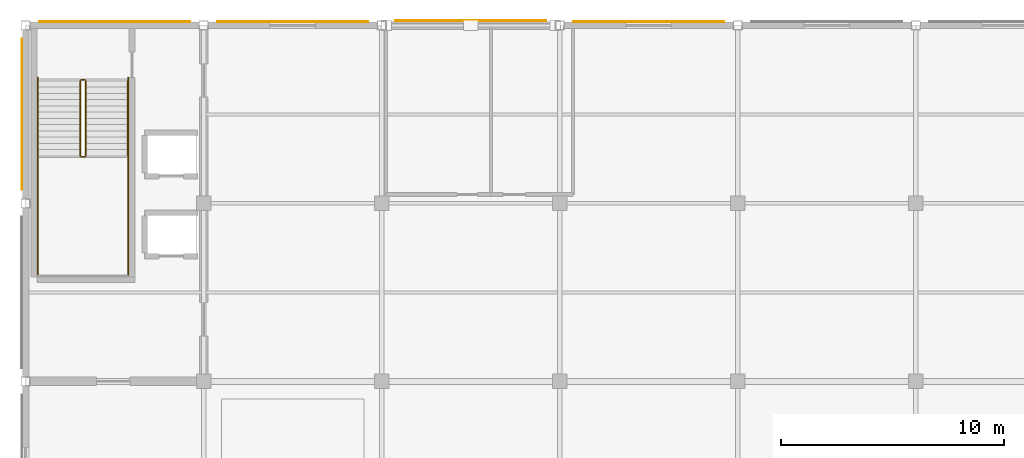
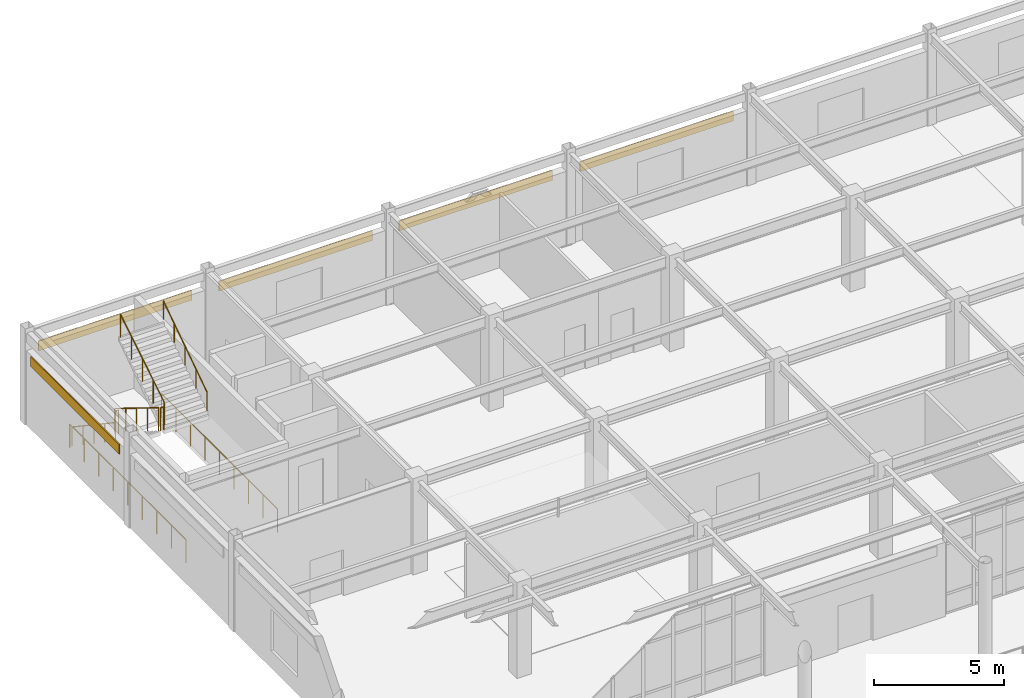
# One storey, part 69 of 75: 8 railings, 5 coverings.
"""IFC4 building model written with IfcOpenShell, lengths in metres."""

from ifc_helpers import new_model, si_unit, direction, frame, origin, origin_2d, place, context, subcontext, project, spatial, rectangle, circle, extrude, material, layer, layer_set, type_object, element, save


model = new_model("IFC4")

# Units and contexts
model_context = context("Model", 3, precision=1e-05, world=origin(), true_north=direction((0.0, 1.0)))
body_context = subcontext(model_context, "Body", "Model", "MODEL_VIEW")
ifc_project = project(units=[si_unit("LENGTHUNIT", "METRE"), si_unit("AREAUNIT", "SQUARE_METRE"), si_unit("VOLUMEUNIT", "CUBIC_METRE"), si_unit("PLANEANGLEUNIT", "RADIAN"), si_unit("MASSUNIT", "GRAM", prefix="KILO")], contexts=[model_context])

# Site, building, storey
site_placement = place(None, origin())
site = spatial("IfcSite", under=ifc_project, at=site_placement, CompositionType="ELEMENT")
building_placement = place(site_placement, origin())
building = spatial("IfcBuilding", under=site, at=building_placement, Name="Solmirada Galleria", CompositionType="ELEMENT")
storey_placement = place(building_placement, frame((0.0, 0.0, 19.39990234375)))
storey = spatial("IfcBuildingStorey", under=building, at=storey_placement, Name="L04", CompositionType="ELEMENT", Elevation=19.39990234375)

# Coverings
ifc_material_1 = material(Name="Limestone cladding panels", Category="masonry")
ifc_layer_1 = layer(ifc_material_1, 0.044921875)
ifc_layer_set_1 = layer_set([ifc_layer_1], Name="Limestone cladding panels")
covering_type_1 = type_object("IfcCoveringType", Name="COV-CLAD-LIME", PredefinedType="CLADDING", material=ifc_layer_set_1)
for number, where, z_axis, x_axis, name in (
    (1, (44.0, 120.16748046875, 2.990234375), (0.0, 0.0, 1.0), (1.0, 0.0, 0.0), "Postmodern facade cladding L04-257"),
    (2, (60.0, 120.202392578125, 2.990234375), (0.0, 0.0, 1.0), (1.0, 0.0, 0.0), "Postmodern facade cladding L04-259"),
):
    element("IfcCovering", number, at=place(storey_placement, frame(where, z_axis=z_axis, x_axis=x_axis)), inside=storey, type_object=covering_type_1, Name=name, PredefinedType="CLADDING", context=body_context, shape_type="SweptSolid", body=[
        extrude(rectangle(XDim=6.7939453125, YDim=0.044921875, at=origin_2d()), origin(), (0.0, 0.0, 1.0), 0.4599609375),
    ])
ifc_material_2 = material(Name="Glazed terracotta facade panels", Category="masonry")
ifc_layer_2 = layer(ifc_material_2, 0.0400390625)
ifc_layer_set_2 = layer_set([ifc_layer_2], Name="Glazed terracotta facade panels")
covering_type_2 = type_object("IfcCoveringType", Name="COV-CLAD-TERRA", PredefinedType="CLADDING", material=ifc_layer_set_2)
for number, where, z_axis, x_axis, name in (
    (3, (39.8349609375, 116.0, 2.990234375), (0.0, 0.0, 1.0), (0.0, 1.0, 0.0), "Postmodern facade cladding L04-256"),
    (4, (52.0, 120.1650390625, 2.990234375), (0.0, 0.0, 1.0), (1.0, 0.0, 0.0), "Postmodern facade cladding L04-258"),
    (5, (68.0, 120.1650390625, 2.990234375), (0.0, 0.0, 1.0), (1.0, 0.0, 0.0), "Postmodern facade cladding L04-260"),
):
    element("IfcCovering", number, at=place(storey_placement, frame(where, z_axis=z_axis, x_axis=x_axis)), inside=storey, type_object=covering_type_2, Name=name, PredefinedType="CLADDING", context=body_context, shape_type="SweptSolid", body=[
        extrude(rectangle(XDim=6.7939453125, YDim=0.0400390625, at=origin_2d()), origin(), (0.0, 0.0, 1.0), 0.4599609375),
    ])

# Railings
ifc_material_3 = material(Name="Painted steel tubular railing", Category="steel")
railing_type_1 = type_object("IfcRailingType", Name="RAIL-STAIR-GUARD", PredefinedType="GUARDRAIL", material=ifc_material_3)
railing_1_placement = place(storey_placement, frame((42.449951171875, 117.5, 0.173095703125)))
element("IfcRailing", 6, at=railing_1_placement, inside=storey, type_object=railing_type_1, Name="L04 ST1 stair guard 1", PredefinedType="GUARDRAIL", context=body_context, shape_type="SweptSolid", body=[
    extrude(circle(Radius=0.02392578125, at=origin_2d()), frame((0.0, 0.0, 1.076171875), z_axis=(0.0, -0.850623216509, 0.525775754039), x_axis=(1.0, 0.0, 0.0)), (0.0, 0.0, 1.0), 3.9501953125),
    extrude(circle(Radius=0.02099609375, at=origin_2d()), origin(), (0.0, 0.0, 1.0), 1.048095703125),
    extrude(circle(Radius=0.02099609375, at=origin_2d()), frame((0.0, -0.840087890625, 0.519287109375)), (0.0, 0.0, 1.0), 1.048095703125),
    extrude(circle(Radius=0.02099609375, at=origin_2d()), frame((0.0, -1.68017578125, 1.03857421875)), (0.0, 0.0, 1.0), 1.048095703125),
    extrude(circle(Radius=0.02099609375, at=origin_2d()), frame((0.0, -2.52001953125, 1.5576171875)), (0.0, 0.0, 1.0), 1.048095703125),
    extrude(circle(Radius=0.02099609375, at=origin_2d()), frame((0.0, -3.360107421875, 2.076904296875)), (0.0, 0.0, 1.0), 1.048095703125),
])
railing_2_placement = place(storey_placement, frame((42.5, 114.090087890625, 2.25)))
element("IfcRailing", 7, at=railing_2_placement, inside=storey, type_object=railing_type_1, Name="L04 ST1 stair guard 2", PredefinedType="GUARDRAIL", context=body_context, shape_type="SweptSolid", body=[
    extrude(circle(Radius=0.02392578125, at=origin_2d()), frame((0.0, 0.0, 1.076171875), z_axis=(1.0, 0.0, 0.0), x_axis=(0.0, 1.0, 0.0)), (0.0, 0.0, 1.0), 0.14990234375),
    extrude(circle(Radius=0.02099609375, at=origin_2d()), origin(), (0.0, 0.0, 1.0), 1.048095703125),
    extrude(circle(Radius=0.02099609375, at=origin_2d()), frame((0.14990234375, 0.0, 0.0)), (0.0, 0.0, 1.0), 1.048095703125),
])
railing_3_placement = place(storey_placement, frame((42.699951171875, 114.139892578125, 2.423095703125)))
element("IfcRailing", 8, at=railing_3_placement, inside=storey, type_object=railing_type_1, Name="L04 ST1 stair guard 3", PredefinedType="GUARDRAIL", context=body_context, shape_type="SweptSolid", body=[
    extrude(circle(Radius=0.02392578125, at=origin_2d()), frame((0.0, 0.0, 1.076171875), z_axis=(0.0, 0.850623216509, 0.525775754039), x_axis=(-1.0, 0.0, 0.0)), (0.0, 0.0, 1.0), 3.9501953125),
    extrude(circle(Radius=0.02099609375, at=origin_2d()), origin(), (0.0, 0.0, 1.0), 1.048095703125),
    extrude(circle(Radius=0.02099609375, at=origin_2d()), frame((0.0, 0.840087890625, 0.519287109375)), (0.0, 0.0, 1.0), 1.048095703125),
    extrude(circle(Radius=0.02099609375, at=origin_2d()), frame((0.0, 1.68017578125, 1.03857421875)), (0.0, 0.0, 1.0), 1.048095703125),
    extrude(circle(Radius=0.02099609375, at=origin_2d()), frame((0.0, 2.52001953125, 1.5576171875)), (0.0, 0.0, 1.0), 1.048095703125),
    extrude(circle(Radius=0.02099609375, at=origin_2d()), frame((0.0, 3.360107421875, 2.076904296875)), (0.0, 0.0, 1.0), 1.048095703125),
])
railing_4_placement = place(storey_placement, frame((42.5, 117.550048828125, 0.0)))
element("IfcRailing", 9, at=railing_4_placement, inside=storey, type_object=railing_type_1, Name="L04 ST1 stair guard 4", PredefinedType="GUARDRAIL", context=body_context, shape_type="SweptSolid", body=[
    extrude(circle(Radius=0.02392578125, at=origin_2d()), frame((0.0, 0.0, 1.076171875), z_axis=(1.0, 0.0, 0.0), x_axis=(0.0, 1.0, 0.0)), (0.0, 0.0, 1.0), 0.14990234375),
    extrude(circle(Radius=0.02099609375, at=origin_2d()), origin(), (0.0, 0.0, 1.0), 1.048095703125),
    extrude(circle(Radius=0.02099609375, at=origin_2d()), frame((0.14990234375, 0.0, 0.0)), (0.0, 0.0, 1.0), 1.048095703125),
])
railing_5_placement = place(storey_placement, frame((44.610107421875, 117.64990234375, 0.0)))
element("IfcRailing", 10, at=railing_5_placement, inside=storey, type_object=railing_type_1, Name="Stair ST1 well edge guard L04-1", PredefinedType="GUARDRAIL", context=body_context, shape_type="SweptSolid", body=[
    extrude(circle(Radius=0.02392578125, at=origin_2d()), frame((0.0, 0.0, 1.09619140625), z_axis=(0.0, -1.0, 0.0), x_axis=(1.0, 0.0, 0.0)), (0.0, 0.0, 1.0), 8.909912109375),
    extrude(circle(Radius=0.02099609375, at=origin_2d()), origin(), (0.0, 0.0, 1.0), 1.068115234375),
    extrude(circle(Radius=0.02099609375, at=origin_2d()), frame((0.0, -1.11376953125, 0.0)), (0.0, 0.0, 1.0), 1.068115234375),
    extrude(circle(Radius=0.02099609375, at=origin_2d()), frame((0.0, -2.2275390625, 0.0)), (0.0, 0.0, 1.0), 1.068115234375),
    extrude(circle(Radius=0.02099609375, at=origin_2d()), frame((0.0, -3.34130859375, 0.0)), (0.0, 0.0, 1.0), 1.068115234375),
    extrude(circle(Radius=0.02099609375, at=origin_2d()), frame((0.0, -4.455078125, 0.0)), (0.0, 0.0, 1.0), 1.068115234375),
    extrude(circle(Radius=0.02099609375, at=origin_2d()), frame((0.0, -5.568603515625, 0.0)), (0.0, 0.0, 1.0), 1.068115234375),
    extrude(circle(Radius=0.02099609375, at=origin_2d()), frame((0.0, -6.682373046875, 0.0)), (0.0, 0.0, 1.0), 1.068115234375),
    extrude(circle(Radius=0.02099609375, at=origin_2d()), frame((0.0, -7.796142578125, 0.0)), (0.0, 0.0, 1.0), 1.068115234375),
    extrude(circle(Radius=0.02099609375, at=origin_2d()), frame((0.0, -8.909912109375, 0.0)), (0.0, 0.0, 1.0), 1.068115234375),
])
railing_6_placement = place(storey_placement, frame((40.5400390625, 108.739990234375, 0.0)))
element("IfcRailing", 11, at=railing_6_placement, inside=storey, type_object=railing_type_1, Name="Stair ST1 well edge guard L04-3", PredefinedType="GUARDRAIL", context=body_context, shape_type="SweptSolid", body=[
    extrude(circle(Radius=0.02392578125, at=origin_2d()), frame((0.0, 0.0, 1.09619140625), z_axis=(0.0, 1.0, 0.0), x_axis=(-1.0, 0.0, 0.0)), (0.0, 0.0, 1.0), 8.909912109375),
    extrude(circle(Radius=0.02099609375, at=origin_2d()), origin(), (0.0, 0.0, 1.0), 1.068115234375),
    extrude(circle(Radius=0.02099609375, at=origin_2d()), frame((0.0, 1.11376953125, 0.0)), (0.0, 0.0, 1.0), 1.068115234375),
    extrude(circle(Radius=0.02099609375, at=origin_2d()), frame((0.0, 2.2275390625, 0.0)), (0.0, 0.0, 1.0), 1.068115234375),
    extrude(circle(Radius=0.02099609375, at=origin_2d()), frame((0.0, 3.34130859375, 0.0)), (0.0, 0.0, 1.0), 1.068115234375),
    extrude(circle(Radius=0.02099609375, at=origin_2d()), frame((0.0, 4.455078125, 0.0)), (0.0, 0.0, 1.0), 1.068115234375),
    extrude(circle(Radius=0.02099609375, at=origin_2d()), frame((0.0, 5.568603515625, 0.0)), (0.0, 0.0, 1.0), 1.068115234375),
    extrude(circle(Radius=0.02099609375, at=origin_2d()), frame((0.0, 6.682373046875, 0.0)), (0.0, 0.0, 1.0), 1.068115234375),
    extrude(circle(Radius=0.02099609375, at=origin_2d()), frame((0.0, 7.796142578125, 0.0)), (0.0, 0.0, 1.0), 1.068115234375),
    extrude(circle(Radius=0.02099609375, at=origin_2d()), frame((0.0, 8.909912109375, 0.0)), (0.0, 0.0, 1.0), 1.068115234375),
])
railing_type_2 = type_object("IfcRailingType", Name="RAIL-STAIR-HAND", PredefinedType="HANDRAIL", material=ifc_material_3)
railing_7_placement = place(storey_placement, frame((40.550048828125, 117.5, 0.173095703125)))
element("IfcRailing", 12, at=railing_7_placement, inside=storey, type_object=railing_type_2, Name="L04 ST1 stair handrail 1", PredefinedType="HANDRAIL", context=body_context, shape_type="SweptSolid", body=[
    extrude(circle(Radius=0.02392578125, at=origin_2d()), frame((0.0, 0.0, 0.8759765625), z_axis=(0.0, -0.830915400975, 0.556398774641), x_axis=(1.0, 0.0, 0.0)), (0.0, 0.0, 1.0), 4.0439453125),
    extrude(circle(Radius=0.02099609375, at=origin_2d()), origin(), (0.0, 0.0, 1.0), 0.847900390625),
    extrude(circle(Radius=0.02099609375, at=origin_2d()), frame((0.0, -0.840087890625, 0.5625)), (0.0, 0.0, 1.0), 0.847900390625),
    extrude(circle(Radius=0.02099609375, at=origin_2d()), frame((0.0, -1.68017578125, 1.125)), (0.0, 0.0, 1.0), 0.847900390625),
    extrude(circle(Radius=0.02099609375, at=origin_2d()), frame((0.0, -2.52001953125, 1.6875)), (0.0, 0.0, 1.0), 0.847900390625),
    extrude(circle(Radius=0.02099609375, at=origin_2d()), frame((0.0, -3.360107421875, 2.25)), (0.0, 0.0, 1.0), 0.847900390625),
])
railing_8_placement = place(storey_placement, frame((44.60009765625, 114.139892578125, 2.423095703125)))
element("IfcRailing", 13, at=railing_8_placement, inside=storey, type_object=railing_type_2, Name="L04 ST1 stair handrail 2", PredefinedType="HANDRAIL", context=body_context, shape_type="SweptSolid", body=[
    extrude(circle(Radius=0.02392578125, at=origin_2d()), frame((0.0, 0.0, 0.8759765625), z_axis=(0.0, 0.830915400975, 0.556398774641), x_axis=(-1.0, 0.0, 0.0)), (0.0, 0.0, 1.0), 4.0439453125),
    extrude(circle(Radius=0.02099609375, at=origin_2d()), origin(), (0.0, 0.0, 1.0), 0.847900390625),
    extrude(circle(Radius=0.02099609375, at=origin_2d()), frame((0.0, 0.840087890625, 0.5625)), (0.0, 0.0, 1.0), 0.847900390625),
    extrude(circle(Radius=0.02099609375, at=origin_2d()), frame((0.0, 1.68017578125, 1.125)), (0.0, 0.0, 1.0), 0.847900390625),
    extrude(circle(Radius=0.02099609375, at=origin_2d()), frame((0.0, 2.52001953125, 1.6875)), (0.0, 0.0, 1.0), 0.847900390625),
    extrude(circle(Radius=0.02099609375, at=origin_2d()), frame((0.0, 3.360107421875, 2.25)), (0.0, 0.0, 1.0), 0.847900390625),
])

save(model, "model.ifc")
